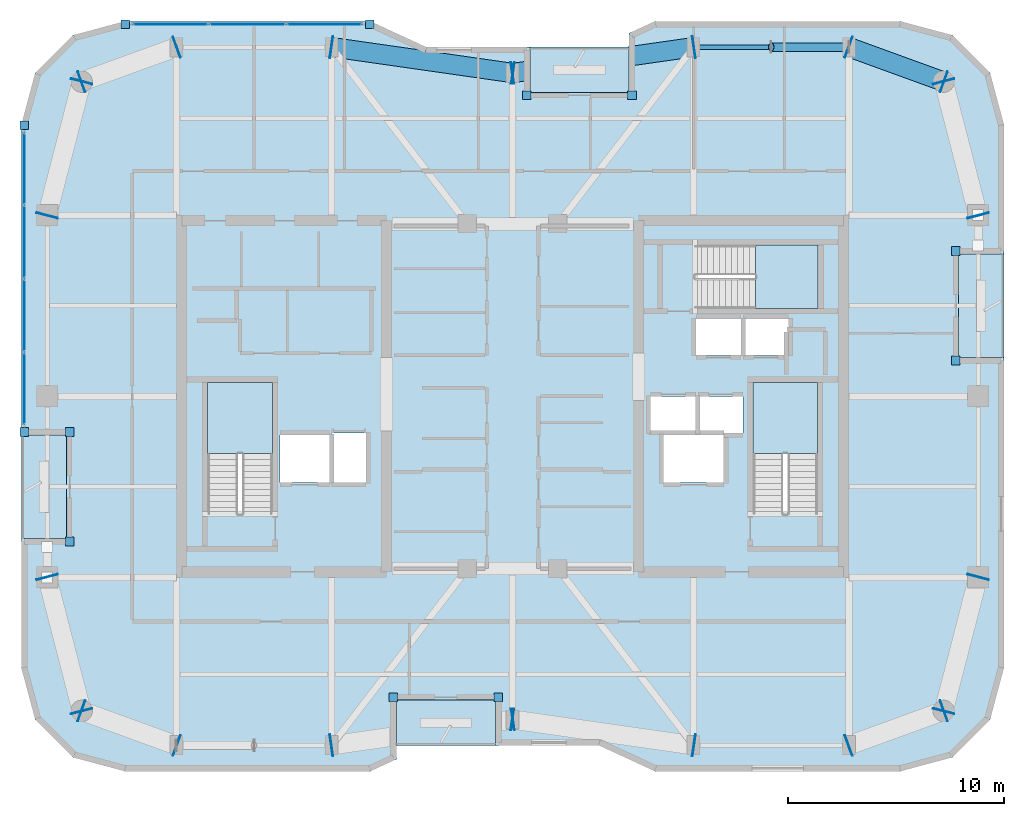
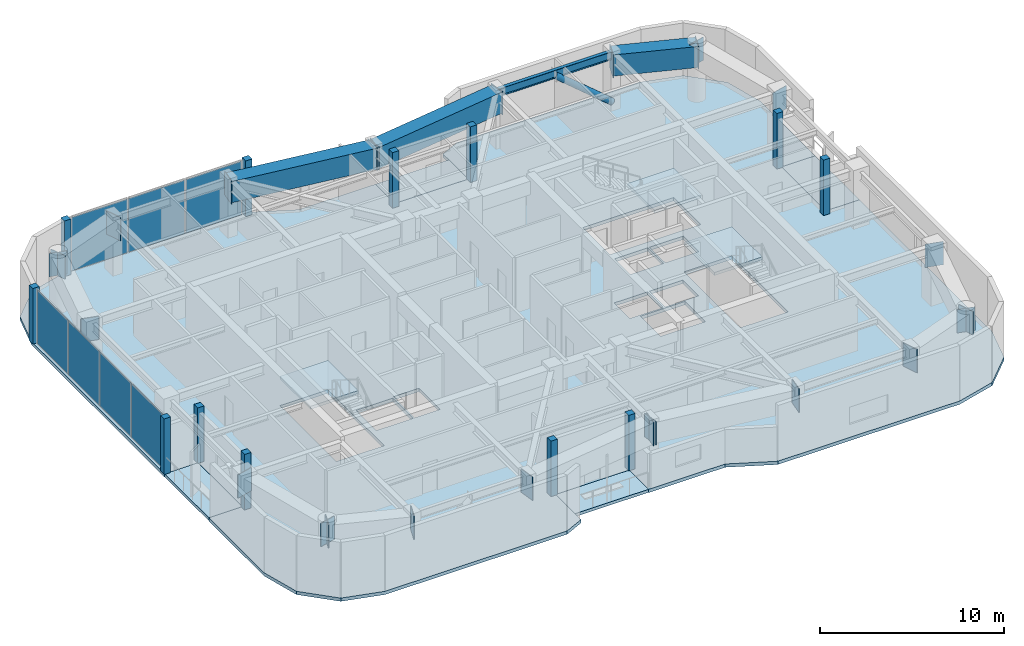
# One storey, part 7 of 15: 43 plates, 8 slabs, 4 beams, 1 member, 5 elements without a shape of their own.
"""IFC4 building model written with IfcOpenShell, lengths in metres."""

from ifc_helpers import new_model, si_unit, direction, frame, origin, origin_2d, place, context, subcontext, project, spatial, polyline, rectangle, hollow_rectangle, hollow_circle, i_section, outline, extrude, material, layer, layer_set, material_profile, profile_set, type_object, element, aggregate, save


model = new_model("IFC4")

# Units and contexts
model_context = context("Model", 3, precision=1e-05, world=origin(), true_north=direction((0.0, 1.0)))
body_context = subcontext(model_context, "Body", "Model", "MODEL_VIEW")
ifc_project = project(units=[si_unit("LENGTHUNIT", "METRE"), si_unit("AREAUNIT", "SQUARE_METRE"), si_unit("VOLUMEUNIT", "CUBIC_METRE"), si_unit("PLANEANGLEUNIT", "RADIAN"), si_unit("MASSUNIT", "GRAM", prefix="KILO")], contexts=[model_context])

# Site, building, storey
site_placement = place(None, origin())
site = spatial("IfcSite", under=ifc_project, at=site_placement, CompositionType="ELEMENT")
building_placement = place(site_placement, origin())
building = spatial("IfcBuilding", under=site, at=building_placement, Name="Kiyonajd Concourse Tower", CompositionType="ELEMENT")
storey_placement = place(building_placement, frame((0.0, 0.0, 270.60009765625)))
storey = spatial("IfcBuildingStorey", under=building, at=storey_placement, Name="L68", CompositionType="ELEMENT", Elevation=270.60009765625)

# Beams
ifc_material_1 = material(Name="Steel ASTM A992 Grade 50", Category="steel")
ifc_material_profile_1 = material_profile(ifc_material_1, i_section(OverallWidth=0.2109375, OverallDepth=0.5390625, WebThickness=0.01171875, FlangeThickness=0.018798828125, at=origin_2d()), Name="W530X109")
ifc_profile_set_1 = profile_set([ifc_material_profile_1], Name="Steel ASTM A992 Grade 50")
beam_type_1 = type_object("IfcBeamType", Name="BM-SPAN-530B", PredefinedType="SPANDREL", material=ifc_profile_set_1)
beam_1_placement = place(storey_placement, frame((63.60009765625, 52.199951171875, 3.410400390625), z_axis=(-1.0, 0.0, 0.0), x_axis=(0.0, -1.0, 0.0)))
element("IfcBeam", 1, at=beam_1_placement, inside=storey, type_object=beam_type_1, Name="L68 Perimeter Bundled Tube Spandrel", PredefinedType="SPANDREL", context=body_context, shape_type="SweptSolid", body=[
    extrude(i_section(OverallWidth=0.2109375, OverallDepth=0.5390625, WebThickness=0.01171875, FlangeThickness=0.018798828125, at=origin_2d()), origin(), (0.0, 0.0, 1.0), 7.2001953125),
])
ifc_material_2 = material(Name="Steel ASTM A572 Grade 50", Category="steel")
ifc_material_profile_2 = material_profile(ifc_material_2, hollow_rectangle(XDim=0.89990234375, YDim=1.39990234375, WallThickness=0.070068359375, at=origin_2d()), Name="BOX-1400x900x70")
ifc_profile_set_2 = profile_set([ifc_material_profile_2], Name="Steel ASTM A572 Grade 50")
beam_type_2 = type_object("IfcBeamType", Name="BM-XFER-1400", PredefinedType="BEAM", material=ifc_profile_set_2)
beam_2_placement = place(storey_placement, frame((68.0, 50.60009765625, 2.97998046875), z_axis=(-0.939801036019, 0.341722127901, 0.0), x_axis=(-0.341722127901, -0.939801036019, 0.0)))
element("IfcBeam", 2, at=beam_2_placement, inside=storey, type_object=beam_type_2, Name="L68 Perimeter Bundled Tube Spandrel", PredefinedType="BEAM", context=body_context, shape_type="SweptSolid", body=[
    extrude(hollow_rectangle(XDim=0.89990234375, YDim=1.39990234375, WallThickness=0.070068359375, at=origin_2d()), origin(), (0.0, 0.0, 1.0), 4.681640625),
])
for number, where, z_axis, x_axis, name in (
    (3, (56.39990234375, 52.199951171875, 2.97998046875), (-0.989950069105, -0.141417328072, 0.0), (0.141417328072, -0.989950069105, 0.0), "L68 Perimeter Bundled Tube Spandrel"),
    (4, (48.0, 51.0, 2.97998046875), (-0.989950069105, 0.141417328072, 0.0), (-0.141417328072, -0.989950069105, 0.0), "L68 Perimeter Bundled Tube Spandrel"),
):
    element("IfcBeam", number, at=place(storey_placement, frame(where, z_axis=z_axis, x_axis=x_axis)), inside=storey, type_object=beam_type_2, Name=name, PredefinedType="BEAM", context=body_context, shape_type="SweptSolid", body=[
        extrude(hollow_rectangle(XDim=0.89990234375, YDim=1.39990234375, WallThickness=0.070068359375, at=origin_2d()), origin(), (0.0, 0.0, 1.0), 8.485107421875),
    ])

# Member
ifc_material_3 = material(Name="Steel ASTM A500 Grade C", Category="steel")
ifc_material_profile_3 = material_profile(ifc_material_3, hollow_circle(Radius=0.202880859375, WallThickness=0.01904296875, at=origin_2d()), Name="CHS-406x19")
ifc_profile_set_3 = profile_set([ifc_material_profile_3], Name="Steel ASTM A500 Grade C")
member_type = type_object("IfcMemberType", Name="MB-PB-HIGH", PredefinedType="BRACE", material=ifc_profile_set_3)
member_placement = place(storey_placement, frame((63.60009765625, 52.199951171875, 0.2998046875), z_axis=(-0.765082043761, 0.0, 0.643932811957), x_axis=(0.0, -1.0, 0.0)))
element("IfcMember", 5, at=member_placement, inside=storey, type_object=member_type, Name="L68 Upper Zone Hollow Tube Brace PBN", PredefinedType="BRACE", context=body_context, shape_type="SweptSolid", body=[
    extrude(hollow_circle(Radius=0.202880859375, WallThickness=0.01904296875, at=origin_2d()), origin(), (0.0, 0.0, 1.0), 4.70556640625),
])

# Plates
ifc_layer_1 = layer(ifc_material_2, 0.031982421875)
ifc_layer_set_1 = layer_set([ifc_layer_1], Name="Steel ASTM A572 Grade 50")
plate_type_1 = type_object("IfcPlateType", Name="PL-CAP-540", PredefinedType="USERDEFINED", material=ifc_layer_set_1)
for number, where, z_axis, x_axis, name in (
    (6, (26.397216796875, 27.610595703125, 2.2099609375), (0.0, 0.0, 1.0), (-0.249873048837, 0.968278606324, 0.0), "L68 Welded Box Girder End Cap"),
    (7, (28.002685546875, 21.389404296875, 2.2099609375), (0.0, 0.0, 1.0), (0.249873048837, -0.968278606324, 0.0), "L68 Welded Box Girder End Cap"),
    (8, (27.98974609375, 21.40380859375, 2.2099609375), (0.0, 0.0, 1.0), (-0.939811951086, 0.341692107891, 0.0), "L68 Welded Box Girder End Cap"),
    (9, (32.410400390625, 19.796142578125, 2.2099609375), (0.0, 0.0, 1.0), (0.939811951086, -0.341692107891, 0.0), "L68 Welded Box Girder End Cap"),
    (10, (39.589111328125, 19.79833984375, 2.2099609375), (0.0, 0.0, 1.0), (-0.989949746297, -0.141419587774, 0.0), "L68 Welded Box Girder End Cap"),
    (11, (48.010986328125, 21.001708984375, 2.2099609375), (0.0, 0.0, 1.0), (0.989949746297, 0.141419587774, 0.0), "L68 Welded Box Girder End Cap"),
    (12, (47.989013671875, 21.001708984375, 2.2099609375), (0.0, 0.0, 1.0), (-0.989949746297, 0.141419587774, 0.0), "L68 Welded Box Girder End Cap"),
    (13, (56.410888671875, 19.79833984375, 2.2099609375), (0.0, 0.0, 1.0), (0.989949746297, -0.141419587774, 0.0), "L68 Welded Box Girder End Cap"),
    (14, (63.589599609375, 19.796142578125, 2.2099609375), (0.0, 0.0, 1.0), (-0.939811951086, -0.341692107891, 0.0), "L68 Welded Box Girder End Cap"),
    (15, (68.01025390625, 21.40380859375, 2.2099609375), (0.0, 0.0, 1.0), (0.939811951086, 0.341692107891, 0.0), "L68 Welded Box Girder End Cap"),
    (16, (67.997314453125, 21.389404296875, 2.2099609375), (0.0, 0.0, 1.0), (-0.249873048837, -0.968278606324, 0.0), "L68 Welded Box Girder End Cap"),
    (17, (69.602783203125, 27.610595703125, 2.2099609375), (0.0, 0.0, 1.0), (0.249873048837, 0.968278606324, 0.0), "L68 Welded Box Girder End Cap"),
    (18, (69.602783203125, 44.389404296875, 2.2099609375), (0.0, 0.0, 1.0), (0.249873048837, -0.968278606324, 0.0), "L68 Welded Box Girder End Cap"),
    (19, (67.997314453125, 50.610595703125, 2.2099609375), (0.0, 0.0, 1.0), (-0.249873048837, 0.968278606324, 0.0), "L68 Welded Box Girder End Cap"),
    (20, (68.01025390625, 50.59619140625, 2.2099609375), (0.0, 0.0, 1.0), (0.939811951086, -0.341692107891, 0.0), "L68 Welded Box Girder End Cap"),
    (21, (63.589599609375, 52.203857421875, 2.2099609375), (0.0, 0.0, 1.0), (-0.939811951086, 0.341692107891, 0.0), "L68 Welded Box Girder End Cap"),
    (22, (56.410888671875, 52.20166015625, 2.2099609375), (0.0, 0.0, 1.0), (0.989949746297, 0.141419587774, 0.0), "L68 Welded Box Girder End Cap"),
    (23, (47.989013671875, 50.998291015625, 2.2099609375), (0.0, 0.0, 1.0), (-0.989949746297, -0.141419587774, 0.0), "L68 Welded Box Girder End Cap"),
    (24, (48.010986328125, 50.998291015625, 2.2099609375), (0.0, 0.0, 1.0), (0.989949746297, -0.141419587774, 0.0), "L68 Welded Box Girder End Cap"),
    (25, (39.589111328125, 52.20166015625, 2.2099609375), (0.0, 0.0, 1.0), (-0.989949746297, 0.141419587774, 0.0), "L68 Welded Box Girder End Cap"),
    (26, (32.410400390625, 52.203857421875, 2.2099609375), (0.0, 0.0, 1.0), (0.939811951086, 0.341692107891, 0.0), "L68 Welded Box Girder End Cap"),
    (27, (27.98974609375, 50.59619140625, 2.2099609375), (0.0, 0.0, 1.0), (-0.939811951086, -0.341692107891, 0.0), "L68 Welded Box Girder End Cap"),
    (28, (28.002685546875, 50.610595703125, 2.2099609375), (0.0, 0.0, 1.0), (0.249873048837, 0.968278606324, 0.0), "L68 Welded Box Girder End Cap"),
    (29, (26.397216796875, 44.389404296875, 2.2099609375), (0.0, 0.0, 1.0), (-0.249873048837, -0.968278606324, 0.0), "L68 Welded Box Girder End Cap"),
):
    element("IfcPlate", number, at=place(storey_placement, frame(where, z_axis=z_axis, x_axis=x_axis)), inside=storey, type_object=plate_type_1, Name=name, ObjectType="CAP PLATE", PredefinedType="USERDEFINED", context=body_context, shape_type="SweptSolid", body=[
        extrude(rectangle(XDim=0.035888671875, YDim=1.02001953125, at=origin_2d()), origin(), (0.0, 0.0, 1.0), 1.5400390625),
    ])

# Curtain wall, plates
ifc_material_4 = material(Name="Thermally Broken Anodised Aluminium", Category="aluminium")
ifc_layer_2 = layer(ifc_material_4, 0.179931640625)
ifc_layer_set_2 = layer_set([ifc_layer_2], Name="Thermally Broken Anodised Aluminium")
curtain_wall_type = type_object("IfcCurtainWallType", Name="CW-SYS-04", PredefinedType="NOTDEFINED", material=ifc_layer_set_2)
curtain_wall_1_placement = place(storey_placement, origin())
curtain_wall_1 = element("IfcCurtainWall", 30, at=curtain_wall_1_placement, inside=storey, type_object=curtain_wall_type, Name="L68 Unitised Curtain Wall CW4", PredefinedType="NOTDEFINED")
ifc_material_5 = material(Name="Double Low-E Insulated Glass", Category="glass")
ifc_layer_3 = layer(ifc_material_5, 0.033935546875)
ifc_layer_set_3 = layer_set([ifc_layer_3], Name="Double Low-E Insulated Glass")
plate_type_2 = type_object("IfcPlateType", Name="PL-CW-VIS34", PredefinedType="CURTAIN_PANEL", material=ifc_layer_set_3)
plate_1_placement = place(storey_placement, frame((25.340087890625, 36.35400390625, 0.06494140625), z_axis=(0.0, 0.0, 1.0), x_axis=(0.0, 1.0, 0.0)))
plate_1 = element("IfcPlate", 31, at=plate_1_placement, type_object=plate_type_2, Name="CW4 panel 1.1", PredefinedType="CURTAIN_PANEL", context=body_context, shape_type="SweptSolid", body=[
    extrude(rectangle(XDim=3.31787109375, YDim=0.033935546875, at=origin_2d()), origin(), (0.0, 0.0, 1.0), 3.550048828125),
])
plate_2_placement = place(storey_placement, frame((25.340087890625, 39.753173828125, 0.06494140625), z_axis=(0.0, 0.0, 1.0), x_axis=(0.0, 1.0, 0.0)))
plate_2 = element("IfcPlate", 32, at=plate_2_placement, type_object=plate_type_2, Name="CW4 panel 2.1", PredefinedType="CURTAIN_PANEL", context=body_context, shape_type="SweptSolid", body=[
    extrude(rectangle(XDim=3.350341796875, YDim=0.033935546875, at=origin_2d()), origin(), (0.0, 0.0, 1.0), 3.550048828125),
])
plate_3_placement = place(storey_placement, frame((25.340087890625, 43.16845703125, 0.06494140625), z_axis=(0.0, 0.0, 1.0), x_axis=(0.0, 1.0, 0.0)))
plate_3 = element("IfcPlate", 33, at=plate_3_placement, type_object=plate_type_2, Name="CW4 panel 3.1", PredefinedType="CURTAIN_PANEL", context=body_context, shape_type="SweptSolid", body=[
    extrude(rectangle(XDim=3.350341796875, YDim=0.033935546875, at=origin_2d()), origin(), (0.0, 0.0, 1.0), 3.550048828125),
])
plate_4_placement = place(storey_placement, frame((25.340087890625, 46.567626953125, 0.06494140625), z_axis=(0.0, 0.0, 1.0), x_axis=(0.0, 1.0, 0.0)))
plate_4 = element("IfcPlate", 34, at=plate_4_placement, type_object=plate_type_2, Name="CW4 panel 4.1", PredefinedType="CURTAIN_PANEL", context=body_context, shape_type="SweptSolid", body=[
    extrude(rectangle(XDim=3.31787109375, YDim=0.033935546875, at=origin_2d()), origin(), (0.0, 0.0, 1.0), 3.550048828125),
])
aggregate(curtain_wall_1, [plate_1, plate_2, plate_3, plate_4])

curtain_wall_2_placement = place(storey_placement, origin())
curtain_wall_2 = element("IfcCurtainWall", 35, at=curtain_wall_2_placement, inside=storey, type_object=curtain_wall_type, Name="L68 Unitised Curtain Wall CW4", PredefinedType="NOTDEFINED")
plate_5_placement = place(storey_placement, frame((32.119873046875, 53.260009765625, 0.06494140625), z_axis=(0.0, 0.0, 1.0), x_axis=(1.0, 0.0, 0.0)))
plate_5 = element("IfcPlate", 36, at=plate_5_placement, type_object=plate_type_2, Name="CW4 panel 1.1", PredefinedType="CURTAIN_PANEL", context=body_context, shape_type="SweptSolid", body=[
    extrude(rectangle(XDim=3.492919921875, YDim=0.033935546875, at=origin_2d()), origin(), (0.0, 0.0, 1.0), 3.550048828125),
])
plate_6_placement = place(storey_placement, frame((35.69384765625, 53.260009765625, 0.06494140625), z_axis=(0.0, 0.0, 1.0), x_axis=(1.0, 0.0, 0.0)))
plate_6 = element("IfcPlate", 37, at=plate_6_placement, type_object=plate_type_2, Name="CW4 panel 2.1", PredefinedType="CURTAIN_PANEL", context=body_context, shape_type="SweptSolid", body=[
    extrude(rectangle(XDim=3.525390625, YDim=0.033935546875, at=origin_2d()), origin(), (0.0, 0.0, 1.0), 3.550048828125),
])
plate_7_placement = place(storey_placement, frame((39.267822265625, 53.260009765625, 0.06494140625), z_axis=(0.0, 0.0, 1.0), x_axis=(1.0, 0.0, 0.0)))
plate_7 = element("IfcPlate", 38, at=plate_7_placement, type_object=plate_type_2, Name="CW4 panel 3.1", PredefinedType="CURTAIN_PANEL", context=body_context, shape_type="SweptSolid", body=[
    extrude(rectangle(XDim=3.492919921875, YDim=0.033935546875, at=origin_2d()), origin(), (0.0, 0.0, 1.0), 3.550048828125),
])
aggregate(curtain_wall_2, [plate_5, plate_6, plate_7])

# Plates
ifc_layer_4 = layer(ifc_material_4, 0.39990234375)
ifc_layer_set_4 = layer_set([ifc_layer_4], Name="Thermally Broken Anodised Aluminium")
plate_type_3 = type_object("IfcPlateType", Name="PL-JMB-400", PredefinedType="USERDEFINED", material=ifc_layer_set_4)
for number, where, z_axis, x_axis, name in (
    (39, (27.43994140625, 29.260009765625, 0.0), (0.0, 0.0, 1.0), (1.0, 0.0, 0.0), "L68 Facade Jamb Closure Plate 01"),
    (40, (27.43994140625, 34.340087890625, 0.0), (0.0, 0.0, 1.0), (1.0, 0.0, 0.0), "L68 Facade Jamb Closure Plate 02"),
    (41, (25.340087890625, 34.340087890625, 0.0), (0.0, 0.0, 1.0), (1.0, 0.0, 0.0), "L68 Facade Jamb Closure Plate 03"),
    (42, (25.340087890625, 48.58154296875, 0.0), (0.0, 0.0, 1.0), (1.0, 0.0, 0.0), "L68 Facade Jamb Closure Plate 04"),
    (43, (30.018310546875, 53.260009765625, 0.0), (0.0, 0.0, 1.0), (1.0, 0.0, 0.0), "L68 Facade Jamb Closure Plate 05"),
    (44, (41.369384765625, 53.260009765625, 0.0), (0.0, 0.0, 1.0), (1.0, 0.0, 0.0), "L68 Facade Jamb Closure Plate 06"),
    (45, (48.659912109375, 49.9599609375, 0.0), (0.0, 0.0, 1.0), (1.0, 0.0, 0.0), "L68 Facade Jamb Closure Plate 07"),
    (46, (53.5400390625, 49.9599609375, 0.0), (0.0, 0.0, 1.0), (1.0, 0.0, 0.0), "L68 Facade Jamb Closure Plate 08"),
    (47, (68.56005859375, 42.739990234375, 0.0), (0.0, 0.0, 1.0), (1.0, 0.0, 0.0), "L68 Facade Jamb Closure Plate 09"),
    (48, (68.56005859375, 37.659912109375, 0.0), (0.0, 0.0, 1.0), (1.0, 0.0, 0.0), "L68 Facade Jamb Closure Plate 10"),
    (49, (47.340087890625, 22.0400390625, 0.0), (0.0, 0.0, 1.0), (1.0, 0.0, 0.0), "L68 Facade Jamb Closure Plate 11"),
    (50, (42.4599609375, 22.0400390625, 0.0), (0.0, 0.0, 1.0), (1.0, 0.0, 0.0), "L68 Facade Jamb Closure Plate 12"),
):
    element("IfcPlate", number, at=place(storey_placement, frame(where, z_axis=z_axis, x_axis=x_axis)), inside=storey, type_object=plate_type_3, Name=name, ObjectType="JAMB PLATE", PredefinedType="USERDEFINED", context=body_context, shape_type="SweptSolid", body=[
        extrude(rectangle(XDim=0.39990234375, YDim=0.39990234375, at=origin_2d()), origin(), (0.0, 0.0, 1.0), 3.679931640625),
    ])

# Stair, slab
ifc_material_6 = material(Name="Concrete C40/50", Category="concrete")
stair_type = type_object("IfcStairType", Name="ST-DLG-22R", PredefinedType="HALF_TURN_STAIR", material=ifc_material_6)
stair_1_placement = place(storey_placement, origin())
stair_1 = element("IfcStair", 51, at=stair_1_placement, inside=storey, type_object=stair_type, Name="L68 Protected Exit Stair ST1", PredefinedType="HALF_TURN_STAIR")
ifc_layer_5 = layer(ifc_material_6, 0.199951171875)
ifc_layer_set_5 = layer_set([ifc_layer_5], Name="Concrete C40/50")
slab_type_1 = type_object("IfcSlabType", Name="SL-LND-200", PredefinedType="LANDING", material=ifc_layer_set_5)
slab_1_placement = place(storey_placement, frame((0.0, 0.0, 1.75)))
slab_1 = element("IfcSlab", 52, at=slab_1_placement, type_object=slab_type_1, Name="ST1 landing 1", PredefinedType="LANDING", context=body_context, shape_type="SweptSolid", body=[
    extrude(outline(polyline([(36.85009765625, 33.35009765625), (36.85009765625, 36.64990234375), (33.85009765625, 36.64990234375), (33.85009765625, 33.35009765625), (36.85009765625, 33.35009765625)])), origin(), (0.0, 0.0, 1.0), 0.199951171875),
])
aggregate(stair_1, [slab_1])

stair_2_placement = place(storey_placement, origin())
stair_2 = element("IfcStair", 53, at=stair_2_placement, inside=storey, type_object=stair_type, Name="L68 Protected Exit Stair ST2", PredefinedType="HALF_TURN_STAIR")
slab_2_placement = place(storey_placement, frame((0.0, 0.0, 1.75)))
slab_2 = element("IfcSlab", 54, at=slab_2_placement, type_object=slab_type_1, Name="ST2 landing 1", PredefinedType="LANDING", context=body_context, shape_type="SweptSolid", body=[
    extrude(outline(polyline([(62.14990234375, 33.35009765625), (62.14990234375, 36.64990234375), (59.14990234375, 36.64990234375), (59.14990234375, 33.35009765625), (62.14990234375, 33.35009765625)])), origin(), (0.0, 0.0, 1.0), 0.199951171875),
])
aggregate(stair_2, [slab_2])

stair_3_placement = place(storey_placement, origin())
stair_3 = element("IfcStair", 55, at=stair_3_placement, inside=storey, type_object=stair_type, Name="L68 Protected Exit Stair ST3", PredefinedType="HALF_TURN_STAIR")
slab_3_placement = place(storey_placement, frame((0.0, 0.0, 1.75)))
slab_3 = element("IfcSlab", 56, at=slab_3_placement, type_object=slab_type_1, Name="ST3 landing 1", PredefinedType="LANDING", context=body_context, shape_type="SweptSolid", body=[
    extrude(outline(polyline([(59.280029296875, 40.080078125), (62.179931640625, 40.080078125), (62.179931640625, 43.02001953125), (59.280029296875, 43.02001953125), (59.280029296875, 40.080078125)])), origin(), (0.0, 0.0, 1.0), 0.199951171875),
])
aggregate(stair_3, [slab_3])

# Slabs
ifc_material_7 = material(Name="Precast concrete C50/60", Category="concrete")
ifc_layer_6 = layer(ifc_material_7, 0.199951171875)
ifc_layer_set_6 = layer_set([ifc_layer_6], Name="Precast concrete C50/60")
slab_type_2 = type_object("IfcSlabType", Name="SL-LOG-200", PredefinedType="FLOOR", material=ifc_layer_set_6)
slab_4_placement = place(storey_placement, frame((0.0, 0.0, -0.2001953125)))
element("IfcSlab", 57, at=slab_4_placement, inside=storey, type_object=slab_type_2, Name="L68 Recessed Engawa Loggia Terrace Slab LOG-S", PredefinedType="FLOOR", context=body_context, shape_type="SweptSolid", body=[
    extrude(outline(polyline([(42.60009765625, 19.800048828125), (47.199951171875, 19.800048828125), (47.199951171875, 21.89990234375), (42.60009765625, 21.89990234375), (42.60009765625, 19.800048828125)])), origin(), (0.0, 0.0, 1.0), 0.2001953125),
])
slab_5_placement = place(storey_placement, frame((0.0, 0.0, -0.2001953125)))
element("IfcSlab", 58, at=slab_5_placement, inside=storey, type_object=slab_type_2, Name="L68 Recessed Engawa Loggia Terrace Slab LOG-N", PredefinedType="FLOOR", context=body_context, shape_type="SweptSolid", body=[
    extrude(outline(polyline([(48.800048828125, 50.10009765625), (53.39990234375, 50.10009765625), (53.39990234375, 52.199951171875), (48.800048828125, 52.199951171875), (48.800048828125, 50.10009765625)])), origin(), (0.0, 0.0, 1.0), 0.2001953125),
])
slab_6_placement = place(storey_placement, frame((0.0, 0.0, -0.2001953125)))
element("IfcSlab", 59, at=slab_6_placement, inside=storey, type_object=slab_type_2, Name="L68 Recessed Engawa Loggia Terrace Slab LOG-W", PredefinedType="FLOOR", context=body_context, shape_type="SweptSolid", body=[
    extrude(outline(polyline([(25.199951171875, 29.39990234375), (27.300048828125, 29.39990234375), (27.300048828125, 34.199951171875), (25.199951171875, 34.199951171875), (25.199951171875, 29.39990234375)])), origin(), (0.0, 0.0, 1.0), 0.2001953125),
])
slab_7_placement = place(storey_placement, frame((0.0, 0.0, -0.2001953125)))
element("IfcSlab", 60, at=slab_7_placement, inside=storey, type_object=slab_type_2, Name="L68 Recessed Engawa Loggia Terrace Slab LOG-E", PredefinedType="FLOOR", context=body_context, shape_type="SweptSolid", body=[
    extrude(outline(polyline([(68.699951171875, 37.800048828125), (70.800048828125, 37.800048828125), (70.800048828125, 42.60009765625), (68.699951171875, 42.60009765625), (68.699951171875, 37.800048828125)])), origin(), (0.0, 0.0, 1.0), 0.2001953125),
])
ifc_layer_7 = layer(ifc_material_6, 0.219970703125)
ifc_layer_set_7 = layer_set([ifc_layer_7], Name="Concrete C40/50")
slab_type_3 = type_object("IfcSlabType", Name="SL-TWR-220", PredefinedType="FLOOR", material=ifc_layer_set_7)
slab_8_placement = place(storey_placement, frame((0.0, 0.0, -0.22021484375)))
element("IfcSlab", 61, at=slab_8_placement, inside=storey, type_object=slab_type_3, Name="L68 Tower Conditioned Floor Slab", PredefinedType="FLOOR", context=body_context, shape_type="SweptSolid", body=[
    extrude(outline(polyline([(25.843017578125, 21.0), (25.199951171875, 23.39990234375), (25.199951171875, 29.39990234375), (27.300048828125, 29.39990234375), (27.300048828125, 34.199951171875), (25.199951171875, 34.199951171875), (25.199951171875, 48.60009765625), (25.843017578125, 51.0), (27.60009765625, 52.757080078125), (30.0, 53.39990234375), (41.39990234375, 53.39990234375), (44.0, 52.199951171875), (48.800048828125, 52.199951171875), (48.800048828125, 50.10009765625), (53.39990234375, 50.10009765625), (53.39990234375, 52.845947265625), (54.60009765625, 53.39990234375), (66.0, 53.39990234375), (68.39990234375, 52.757080078125), (70.156982421875, 51.0), (70.800048828125, 48.60009765625), (70.800048828125, 42.60009765625), (68.699951171875, 42.60009765625), (68.699951171875, 37.800048828125), (70.800048828125, 37.800048828125), (70.800048828125, 23.39990234375), (70.156982421875, 21.0), (68.39990234375, 19.242919921875), (66.0, 18.60009765625), (54.60009765625, 18.60009765625), (52.0, 19.800048828125), (47.199951171875, 19.800048828125), (47.199951171875, 21.89990234375), (42.60009765625, 21.89990234375), (42.60009765625, 19.154052734375), (41.39990234375, 18.60009765625), (30.0, 18.60009765625), (27.60009765625, 19.242919921875), (25.843017578125, 21.0)]), holes=[polyline([(39.5, 32.0), (37.199951171875, 32.0), (37.199951171875, 34.199951171875), (39.5, 34.199951171875), (39.5, 32.0)]), polyline([(57.800048828125, 32.0), (55.0, 32.0), (55.0, 34.199951171875), (57.800048828125, 34.199951171875), (57.800048828125, 32.0)]), polyline([(41.199951171875, 32.0), (39.60009765625, 32.0), (39.60009765625, 34.300048828125), (41.199951171875, 34.300048828125), (41.199951171875, 32.0)]), polyline([(33.85009765625, 30.550048828125), (33.85009765625, 36.64990234375), (36.85009765625, 36.64990234375), (36.85009765625, 30.550048828125), (33.85009765625, 30.550048828125)]), polyline([(59.14990234375, 30.550048828125), (59.14990234375, 36.64990234375), (62.14990234375, 36.64990234375), (62.14990234375, 30.550048828125), (59.14990234375, 30.550048828125)]), polyline([(56.5, 34.300048828125), (54.39990234375, 34.300048828125), (54.39990234375, 36.0), (56.5, 36.0), (56.5, 34.300048828125)]), polyline([(58.699951171875, 34.300048828125), (56.60009765625, 34.300048828125), (56.60009765625, 36.0), (58.699951171875, 36.0), (58.699951171875, 34.300048828125)]), polyline([(58.60009765625, 37.89990234375), (56.5, 37.89990234375), (56.5, 39.60009765625), (58.60009765625, 39.60009765625), (58.60009765625, 37.89990234375)]), polyline([(58.699951171875, 37.89990234375), (58.699951171875, 39.60009765625), (60.800048828125, 39.60009765625), (60.800048828125, 37.89990234375), (58.699951171875, 37.89990234375)]), polyline([(56.47998046875, 43.02001953125), (62.179931640625, 43.02001953125), (62.179931640625, 40.080078125), (56.47998046875, 40.080078125), (56.47998046875, 43.02001953125)])]), origin(), (0.0, 0.0, 1.0), 0.22021484375),
])

save(model, "model.ifc")
